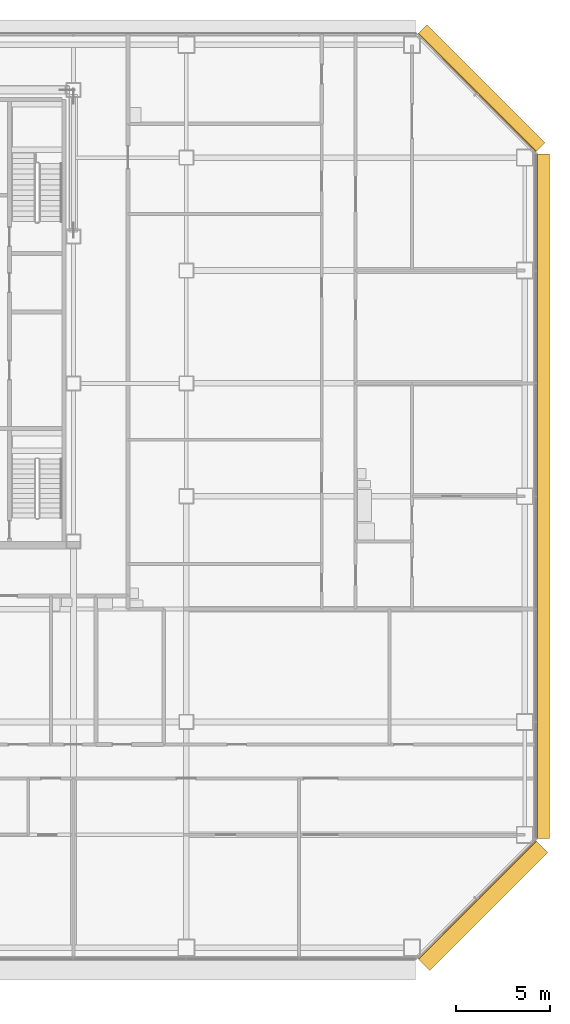
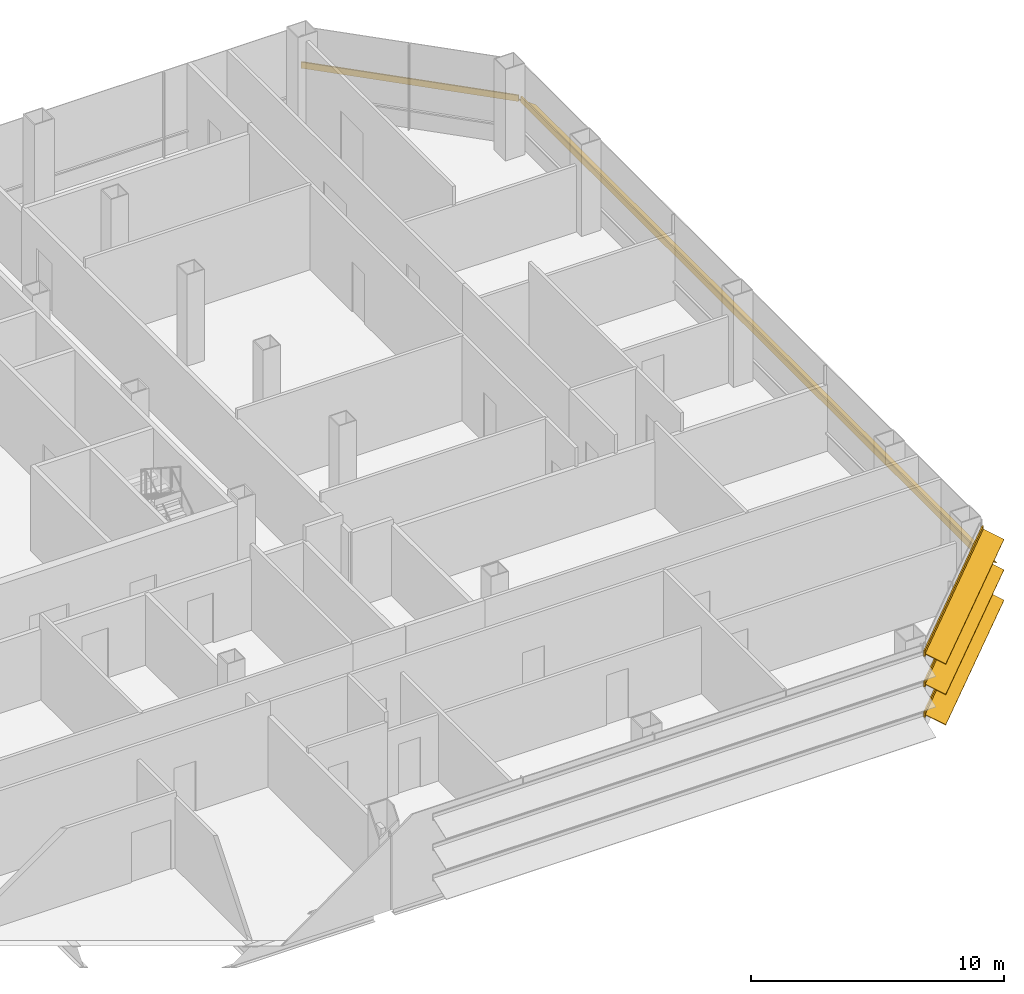
# One storey, part 26 of 27: 3 shading devices.
"""IFC4 building model written with IfcOpenShell, lengths in metres."""

from ifc_helpers import new_model, si_unit, direction, frame, origin, place, context, subcontext, project, spatial, polyline, outline, composite_profile, extrude, material, type_object, element, save


model = new_model("IFC4")

# Units and contexts
model_context = context("Model", 3, precision=1e-05, world=origin(), true_north=direction((0.0, 1.0)))
body_context = subcontext(model_context, "Body", "Model", "MODEL_VIEW")
ifc_project = project(units=[si_unit("LENGTHUNIT", "METRE"), si_unit("AREAUNIT", "SQUARE_METRE"), si_unit("VOLUMEUNIT", "CUBIC_METRE"), si_unit("PLANEANGLEUNIT", "RADIAN"), si_unit("MASSUNIT", "GRAM", prefix="KILO")], contexts=[model_context])

# Site, building, storey
site_placement = place(None, origin())
site = spatial("IfcSite", under=ifc_project, at=site_placement, CompositionType="ELEMENT")
building_placement = place(site_placement, origin())
building = spatial("IfcBuilding", under=site, at=building_placement, Name="Sorahane Residences", CompositionType="ELEMENT")
storey_placement = place(building_placement, frame((0.0, 0.0, 85.800048828125)))
storey = spatial("IfcBuildingStorey", under=building, at=storey_placement, Name="L18", CompositionType="ELEMENT", Elevation=85.800048828125)

# Shading devices
ifc_material_1 = material(Name="Terracotta anodised aluminium", Category="masonry")
shading_device_type_1 = type_object("IfcShadingDeviceType", Name="Louvre sunshade blade E terracotta aluminium 700", PredefinedType="JALOUSIE", material=ifc_material_1)
shading_device_1_placement = place(storey_placement, frame((66.60009765625, 5.801513671875, 2.199951171875), z_axis=(0.0, 1.0, 0.0), x_axis=(-1.0, 0.0, 0.0)))
element("IfcShadingDevice", 1, at=shading_device_1_placement, inside=storey, type_object=shading_device_type_1, Name="Louvre sunshade blade bank E L18 E1", PredefinedType="JALOUSIE", context=body_context, shape_type="SweptSolid", body=[
    extrude(outline(polyline([(-0.719970703125, -0.49365234375), (-0.719970703125, -0.523681640625), (-0.080078125, -0.05859375), (-0.080078125, -0.14990234375), (-0.02001953125, -0.14990234375), (-0.02001953125, -0.014892578125), (-0.02001953125, 0.014892578125), (-0.02001953125, 0.14990234375), (-0.080078125, 0.14990234375), (-0.080078125, -0.028564453125), (-0.719970703125, -0.49365234375)])), origin(), (0.0, 0.0, 1.0), 36.39697265625),
])
ifc_material_2 = material(Name="Terracotta anodised aluminium", Category="masonry")
shading_device_type_2 = type_object("IfcShadingDeviceType", Name="Louvre sunshade blade NE terracotta aluminium 700", PredefinedType="JALOUSIE", material=ifc_material_2)
shading_device_2_placement = place(storey_placement, frame((66.564697265625, 42.283935546875, 2.199951171875), z_axis=(-0.707106781187, 0.707106781187, 0.0), x_axis=(-0.707106781187, -0.707106781187, 0.0)))
element("IfcShadingDevice", 2, at=shading_device_2_placement, inside=storey, type_object=shading_device_type_2, Name="Louvre sunshade blade bank NE L18 NE1", PredefinedType="JALOUSIE", context=body_context, shape_type="SweptSolid", body=[
    extrude(outline(polyline([(-0.719970703125, -0.572509765625), (-0.719970703125, -0.602294921875), (-0.080078125, -0.065185546875), (-0.080078125, -0.14990234375), (-0.02001953125, -0.14990234375), (-0.02001953125, -0.014892578125), (-0.02001953125, 0.014892578125), (-0.02001953125, 0.14990234375), (-0.080078125, 0.14990234375), (-0.080078125, -0.035400390625), (-0.719970703125, -0.572509765625)])), origin(), (0.0, 0.0, 1.0), 8.88232421875),
])
ifc_material_3 = material(Name="Terracotta anodised aluminium", Category="masonry")
shading_device_type_3 = type_object("IfcShadingDeviceType", Name="Louvre sunshade blade SE terracotta aluminium 900", PredefinedType="JALOUSIE", material=ifc_material_3)
shading_device_3_placement = place(storey_placement, frame((60.283935546875, -0.564697265625, 0.7333984375), z_axis=(0.707106781187, 0.707106781187, 0.0), x_axis=(-0.707106781187, 0.707106781187, 0.0)))
element("IfcShadingDevice", 3, at=shading_device_3_placement, inside=storey, type_object=shading_device_type_3, Name="Louvre sunshade blade bank SE L18 SE1", PredefinedType="JALOUSIE", context=body_context, shape_type="SweptSolid", body=[
    extrude(composite_profile([outline(polyline([(-0.919921875, -0.3486328125), (-0.919921875, -0.378662109375), (-0.080078125, -0.039306640625), (-0.080078125, -0.14990234375), (-0.02001953125, -0.14990234375), (-0.02001953125, -0.014892578125), (-0.02001953125, 0.014892578125), (-0.02001953125, 0.14990234375), (-0.080078125, 0.14990234375), (-0.080078125, -0.00927734375), (-0.919921875, -0.3486328125)])), outline(polyline([(-0.919921875, 1.1181640625), (-0.919921875, 1.088134765625), (-0.080078125, 1.427490234375), (-0.080078125, 1.316650390625), (-0.02001953125, 1.316650390625), (-0.02001953125, 1.45166015625), (-0.02001953125, 1.481689453125), (-0.02001953125, 1.61669921875), (-0.080078125, 1.61669921875), (-0.080078125, 1.45751953125), (-0.919921875, 1.1181640625)])), outline(polyline([(-0.919921875, 2.584716796875), (-0.919921875, 2.5546875), (-0.080078125, 2.89404296875), (-0.080078125, 2.783203125), (-0.02001953125, 2.783203125), (-0.02001953125, 2.918212890625), (-0.02001953125, 2.9482421875), (-0.02001953125, 3.083251953125), (-0.080078125, 3.083251953125), (-0.080078125, 2.924072265625), (-0.919921875, 2.584716796875)]))]), origin(), (0.0, 0.0, 1.0), 8.88232421875),
])

save(model, "model.ifc")
